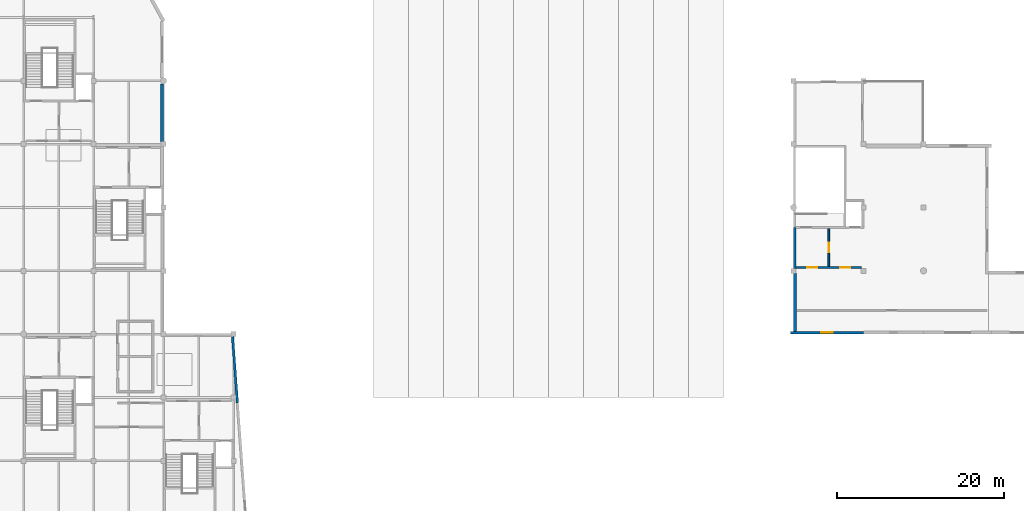
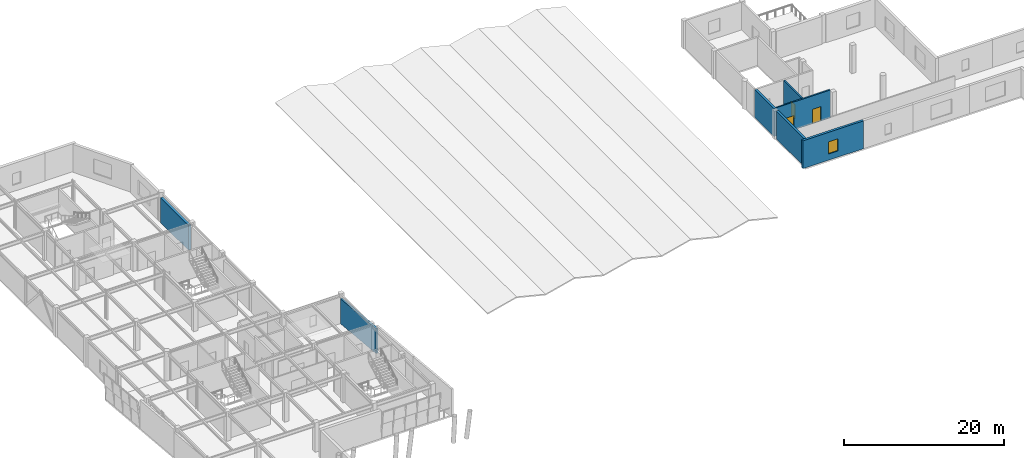
# One storey, part 20 of 28: 7 walls, 3 doors, 1 window, 4 openings.
"""IFC4 building model written with IfcOpenShell, lengths in metres."""

import ifcopenshell
import ifcopenshell.guid

model = None  # the IFC model being written
_history = None  # IfcOwnerHistory: only IFC2X3 demands one
_inside = {}  # id of a spatial element -> (the spatial element, [elements in it])
_under = {}  # id of a project, library or spatial element -> (it, [spatial elements below it])
_declared = {}  # id of a project -> (the project, [libraries it declares])
_typed = {}  # id of a type object -> (the type object, [elements of that type])
_made_of = {}  # id of a material, layer set ... -> (it, [elements and type objects made of it])


def new_model(schema):
    """Start an empty IFC model of exactly this schema.

    Asked for "IFC4X3", IfcOpenShell would pick the latest addendum, in which some entities
    have other attributes; the version numbers below select the first issue.
    IFC2X3 requires an IfcOwnerHistory on every rooted entity: one is made here for all.
    """
    global model, _history
    if schema == "IFC4X3":
        model = ifcopenshell.file(schema_version=(4, 3, 0, 0))
    else:
        model = ifcopenshell.file(schema=schema)
    _inside.clear()
    _under.clear()
    _declared.clear()
    _typed.clear()
    _made_of.clear()
    _history = None
    if model.schema == "IFC2X3":
        org = make("IfcOrganization", Name="unknown")
        user = make(
            "IfcPersonAndOrganization",
            ThePerson=make("IfcPerson", FamilyName="unknown"),
            TheOrganization=org,
        )
        app = make(
            "IfcApplication",
            ApplicationDeveloper=org,
            Version="unknown",
            ApplicationFullName="unknown",
            ApplicationIdentifier="unknown",
        )
        _history = make(
            "IfcOwnerHistory",
            OwningUser=user,
            OwningApplication=app,
            ChangeAction="ADDED",
            CreationDate=0,
        )
    return model


def make(cls, **values):
    """One entity of the class cls with the attributes given. An attribute that is None is left unset."""
    return model.create_entity(
        cls, **{name: value for name, value in values.items() if value is not None}
    )


def rooted(cls, **values):
    """An entity with a GlobalId (a new one), such as an element, a storey or a relation."""
    return make(cls, GlobalId=ifcopenshell.guid.new(), OwnerHistory=_history, **values)


def si_unit(unit_type, name, prefix=None):
    """IfcSIUnit, for example si_unit("LENGTHUNIT", "METRE", prefix="MILLI")."""
    return make("IfcSIUnit", UnitType=unit_type, Prefix=prefix, Name=name)


def assignment(units):
    """IfcUnitAssignment: the units of a project."""
    return None if units is None else make("IfcUnitAssignment", Units=units)


def point(xyz):
    """IfcCartesianPoint."""
    return None if xyz is None else make("IfcCartesianPoint", Coordinates=xyz)


def direction(xyz):
    """IfcDirection."""
    return None if xyz is None else make("IfcDirection", DirectionRatios=xyz)


def frame(location, z_axis=None, x_axis=None):
    """IfcAxis2Placement3D, a coordinate frame: its origin and axes. An axis left out is left unset."""
    return make(
        "IfcAxis2Placement3D",
        Location=point(location),
        Axis=direction(z_axis),
        RefDirection=direction(x_axis),
    )


def frame_2d(location, x_axis=None):
    """IfcAxis2Placement2D, a coordinate frame in the plane: its origin and x axis."""
    return make(
        "IfcAxis2Placement2D", Location=point(location), RefDirection=direction(x_axis)
    )


def origin():
    """The frame at (0, 0, 0) with its axes left unset."""
    return frame((0.0, 0.0, 0.0))


def place(relative_to, where):
    """IfcLocalPlacement: puts the frame where relative to a parent placement (None: the world)."""
    return make(
        "IfcLocalPlacement", PlacementRelTo=relative_to, RelativePlacement=where
    )


def context(
    kind, dimensions, precision=None, world=None, true_north=None, identifier=None
):
    """IfcGeometricRepresentationContext, for example the 3D "Model" context."""
    return make(
        "IfcGeometricRepresentationContext",
        ContextIdentifier=identifier,
        ContextType=kind,
        CoordinateSpaceDimension=dimensions,
        Precision=precision,
        WorldCoordinateSystem=world,
        TrueNorth=true_north,
    )


def subcontext(parent, identifier, kind, view, scale=None):
    """IfcGeometricRepresentationSubContext, for example "Body" below "Model"."""
    return make(
        "IfcGeometricRepresentationSubContext",
        ContextIdentifier=identifier,
        ContextType=kind,
        ParentContext=parent,
        TargetScale=scale,
        TargetView=view,
    )


def project(units=None, contexts=None):
    """IfcProject with its units and contexts."""
    return rooted(
        "IfcProject",
        Name="project",
        RepresentationContexts=contexts,
        UnitsInContext=assignment(units),
    )


def spatial(cls, under=None, at=None, **own):
    """A site, building, storey or space (cls), placed at a placement, below another one or the project."""
    s = rooted(cls, ObjectPlacement=at, **own)
    if under is not None:
        _under.setdefault(under.id(), (under, []))[1].append(s)
    return s


def profile(cls, at=None, kind="AREA", **sizes):
    """A parametric profile (cls). Its sizes go by their IFC names, for example OverallWidth=200.0."""
    return make(cls, ProfileType=kind, Position=at, **sizes)


def rectangle(**sizes):
    """IfcRectangleProfileDef."""
    return profile("IfcRectangleProfileDef", **sizes)


def extrude(swept, where, along, depth):
    """IfcExtrudedAreaSolid: the profile swept, set in the frame where, extruded along a direction by depth."""
    return make(
        "IfcExtrudedAreaSolid",
        SweptArea=swept,
        Position=where,
        ExtrudedDirection=direction(along),
        Depth=depth,
    )


def shape(context_of_items, identifier, shape_type, items):
    """IfcShapeRepresentation: the items that make up one representation, for example the "Body"."""
    return make(
        "IfcShapeRepresentation",
        ContextOfItems=context_of_items,
        RepresentationIdentifier=identifier,
        RepresentationType=shape_type,
        Items=items,
    )


def material(Name=None, Category=None):
    """IfcMaterial."""
    return make("IfcMaterial", Name=Name, Category=Category)


def layer(
    of_material, thickness, ventilated=None, Name=None, Category=None, Priority=None
):
    """IfcMaterialLayer: one layer of a wall or slab, of a material (None: an air gap)."""
    return make(
        "IfcMaterialLayer",
        Material=of_material,
        LayerThickness=thickness,
        IsVentilated=ventilated,
        Name=Name,
        Category=Category,
        Priority=Priority,
    )


def layer_set(layers, Name=None):
    """IfcMaterialLayerSet."""
    return make("IfcMaterialLayerSet", MaterialLayers=layers, LayerSetName=Name)


def made_of(thing, what):
    """Note that an element or type object is made of a material, layer set ...; save() writes the relation."""
    if what is not None:
        _made_of.setdefault(what.id(), (what, []))[1].append(thing)
    return thing


def type_object(cls, material=None, **own):
    """A type object (cls), such as IfcWallType, which elements share."""
    return made_of(rooted(cls, **own), material)


def element(
    cls,
    number,
    at=None,
    inside=None,
    cuts=None,
    type_object=None,
    material=None,
    context=None,
    identifier="Body",
    shape_type=None,
    held_by="IfcProductDefinitionShape",
    body=None,
    shapes=None,
    **own,
):
    """One element of the class cls, such as IfcWall. Its Tag is "e" and its number.

    at: its placement. inside: the storey or other place that contains it. cuts: it is an
    opening in that element (IfcRelVoidsElement). A single representation is given by context,
    identifier, shape_type and body (its items); several are given by shapes. held_by: the class
    of the entity that holds the representations. save() writes the other relations.
    """
    e = rooted(cls, Tag="e%d" % number, ObjectPlacement=at, **own)
    if body is not None:
        shapes = [shape(context, identifier, shape_type, body)]
    if shapes is not None:
        e.Representation = make(held_by, Representations=shapes)
    if inside is not None:
        _inside.setdefault(inside.id(), (inside, []))[1].append(e)
    if cuts is not None:
        rooted(
            "IfcRelVoidsElement", RelatingBuildingElement=cuts, RelatedOpeningElement=e
        )
    if type_object is not None:
        _typed.setdefault(type_object.id(), (type_object, []))[1].append(e)
    return made_of(e, material)


def fill(opening, filler):
    """IfcRelFillsElement: the door or window that sits in an opening."""
    return rooted(
        "IfcRelFillsElement",
        RelatingOpeningElement=opening,
        RelatedBuildingElement=filler,
    )


def aggregate(whole, parts):
    """IfcRelAggregates: a whole, such as a stair, and the parts it consists of."""
    return rooted("IfcRelAggregates", RelatingObject=whole, RelatedObjects=parts)


def save(model, path):
    """Write the relations noted so far, then the file.

    IfcRelAggregates (storeys below a building ...), IfcRelContainedInSpatialStructure (elements
    in a storey), IfcRelDefinesByType, IfcRelAssociatesMaterial and IfcRelDeclares: one each for
    every whole, place, type object, material and project.
    """
    for whole, parts in _under.values():
        aggregate(whole, parts)
    for where, things in _inside.values():
        rooted(
            "IfcRelContainedInSpatialStructure",
            RelatedElements=things,
            RelatingStructure=where,
        )
    for kind, things in _typed.values():
        rooted("IfcRelDefinesByType", RelatedObjects=things, RelatingType=kind)
    for what, things in _made_of.values():
        rooted("IfcRelAssociatesMaterial", RelatedObjects=things, RelatingMaterial=what)
    for by, libraries in _declared.values():
        rooted("IfcRelDeclares", RelatingContext=by, RelatedDefinitions=libraries)
    model.write(path)


model = new_model("IFC4")

# Units and contexts
model_context = context("Model", 3, precision=1e-05, world=origin(), true_north=direction((0.0, 1.0)))
body_context = subcontext(model_context, "Body", "Model", "MODEL_VIEW")
ifc_project = project(units=[si_unit("LENGTHUNIT", "METRE"), si_unit("AREAUNIT", "SQUARE_METRE"), si_unit("VOLUMEUNIT", "CUBIC_METRE"), si_unit("PLANEANGLEUNIT", "RADIAN"), si_unit("MASSUNIT", "GRAM", prefix="KILO")], contexts=[model_context])

# Site, building, storey
site_placement = place(None, origin())
site = spatial("IfcSite", under=ifc_project, at=site_placement, CompositionType="ELEMENT")
building_placement = place(site_placement, origin())
building = spatial("IfcBuilding", under=site, at=building_placement, Name="Xicomal Pleat Aquarium", CompositionType="ELEMENT")
storey_placement = place(building_placement, frame((0.0, 0.0, 15.300048828125)))
storey = spatial("IfcBuildingStorey", under=building, at=storey_placement, Name="L04", CompositionType="ELEMENT", Elevation=15.300048828125)

# Walls
ifc_material_1 = material(Name="Volcanic basalt recinto masonry and concrete C40/50", Category="masonry")
ifc_layer_1 = layer(ifc_material_1, 0.364990234375)
ifc_layer_set_1 = layer_set([ifc_layer_1], Name="Volcanic basalt recinto masonry and concrete C40/50")
wall_type_1 = type_object("IfcWallType", Name="WAL-EXT-BAS-365", PredefinedType="SOLIDWALL", material=ifc_layer_set_1)
wall_1_placement = place(storey_placement, frame((26.81689453125, 68.0400390625, 0.0), z_axis=(0.0, 0.0, 1.0), x_axis=(0.0, -1.0, 0.0)))
element("IfcWall", 1, at=wall_1_placement, inside=storey, type_object=wall_type_1, Name="L04 exterior basalt-precast wall EW-L04-052", PredefinedType="SOLIDWALL", context=body_context, shape_type="SweptSolid", body=[
    extrude(rectangle(XDim=6.955078125, YDim=0.364990234375, at=frame_2d((3.4775390625, 0.0))), origin(), (0.0, 0.0, 1.0), 3.81591796875),
])
ifc_material_2 = material(Name="Precast concrete C40/50", Category="concrete")
ifc_layer_2 = layer(ifc_material_2, 0.300048828125)
ifc_layer_set_2 = layer_set([ifc_layer_2], Name="Precast concrete C40/50")
wall_type_2 = type_object("IfcWallType", Name="WAL-EXT-PRC-300", PredefinedType="SOLIDWALL", material=ifc_layer_set_2)
wall_2_placement = place(storey_placement, frame((35.27294921875, 37.68408203125, 0.0), z_axis=(0.0, 0.0, 1.0), x_axis=(0.072904800795, -0.997338904295, 0.0)))
element("IfcWall", 2, at=wall_2_placement, inside=storey, type_object=wall_type_2, Name="L04 exterior basalt-precast wall EW-L04-057", PredefinedType="SOLIDWALL", context=body_context, shape_type="SweptSolid", body=[
    extrude(rectangle(XDim=7.943359375, YDim=0.300048828125, at=frame_2d((3.9716796875, 0.0))), origin(), (0.0, 0.0, 1.0), 3.81591796875),
])
ifc_material_3 = material(Name="Precast concrete C40/50", Category="concrete")
ifc_layer_3 = layer(ifc_material_3, 0.31201171875)
ifc_layer_set_3 = layer_set([ifc_layer_3], Name="Precast concrete C40/50")
wall_type_3 = type_object("IfcWallType", Name="WAL-EXT-PRC-312", PredefinedType="SOLIDWALL", material=ifc_layer_set_3)
wall_3_placement = place(storey_placement, frame((102.756103515625, 45.885009765625, 0.0), z_axis=(0.0, 0.0, 1.0), x_axis=(0.0, 1.0, 0.0)))
element("IfcWall", 3, at=wall_3_placement, inside=storey, type_object=wall_type_3, Name="L04 exterior basalt-precast wall EW-L04-017", PredefinedType="SOLIDWALL", context=body_context, shape_type="SweptSolid", body=[
    extrude(rectangle(XDim=4.89501953125, YDim=0.31201171875, at=frame_2d((2.447509765625, 0.0))), origin(), (0.0, 0.0, 1.0), 4.260009765625),
])
ifc_material_4 = material(Name="Precast concrete C40/50", Category="concrete")
ifc_layer_4 = layer(ifc_material_4, 0.324951171875)
ifc_layer_set_4 = layer_set([ifc_layer_4], Name="Precast concrete C40/50")
wall_type_4 = type_object("IfcWallType", Name="WAL-EXT-PRC-325", PredefinedType="SOLIDWALL", material=ifc_layer_set_4)
wall_4_placement = place(storey_placement, frame((102.761962890625, 38.344970703125, 0.0), z_axis=(0.0, 0.0, 1.0), x_axis=(0.0, 1.0, 0.0)))
element("IfcWall", 4, at=wall_4_placement, inside=storey, type_object=wall_type_4, Name="L04 exterior basalt-precast wall EW-L04-016B", PredefinedType="SOLIDWALL", context=body_context, shape_type="SweptSolid", body=[
    extrude(rectangle(XDim=6.969970703125, YDim=0.324951171875, at=frame_2d((3.48486328125, 0.0))), origin(), (0.0, 0.0, 1.0), 4.260009765625),
])

# Wall, opening, window
ifc_material_5 = material(Name="Precast concrete C40/50", Category="concrete")
ifc_layer_5 = layer(ifc_material_5, 0.340087890625)
ifc_layer_set_5 = layer_set([ifc_layer_5], Name="Precast concrete C40/50")
wall_type_5 = type_object("IfcWallType", Name="WAL-EXT-PRC-340", PredefinedType="SOLIDWALL", material=ifc_layer_set_5)
wall_5_placement = place(storey_placement, frame((110.97998046875, 38.169921875, 0.0), z_axis=(0.0, 0.0, 1.0), x_axis=(-1.0, 0.0, 0.0)))
wall_5 = element("IfcWall", 5, at=wall_5_placement, inside=storey, type_object=wall_type_5, Name="L04 exterior basalt-precast wall EW-L04-015", PredefinedType="SOLIDWALL", context=body_context, shape_type="SweptSolid", body=[
    extrude(rectangle(XDim=8.739990234375, YDim=0.340087890625, at=frame_2d((4.3701171875, 0.0))), origin(), (0.0, 0.0, 1.0), 4.260009765625),
])
opening_1_placement = place(wall_5_placement, frame((3.695068359375, 0.0, 0.949951171875)))
opening_1 = element("IfcOpeningElement", 6, at=opening_1_placement, cuts=wall_5, Name="Opening WN-09", PredefinedType="OPENING", context=body_context, shape_type="SweptSolid", body=[
    extrude(rectangle(XDim=1.35009765625, YDim=1.85009765625, at=frame_2d((0.675048828125, 0.925048828125))), frame((0.0, 0.179931640625, 0.0), z_axis=(0.0, -1.0, 0.0), x_axis=(1.0, 0.0, 0.0)), (0.0, 0.0, 1.0), 0.360107421875),
])
ifc_material_6 = material(Name="Insulated low-E laminated glass", Category="glass")
window_type = type_object("IfcWindowType", Name="WIN-EXT-1350x1850", PartitioningType="SINGLE_PANEL", PredefinedType="WINDOW", material=ifc_material_6)
window_placement = place(opening_1_placement, origin())
window = element("IfcWindow", 7, at=window_placement, inside=storey, type_object=window_type, Name="L04 thermally broken low-E window 57", OverallHeight=1.85009765625, OverallWidth=1.35009765625, PartitioningType="SINGLE_PANEL", PredefinedType="WINDOW", context=body_context, shape_type="SweptSolid", body=[
    extrude(rectangle(XDim=1.35009765625, YDim=1.85009765625, at=frame_2d((0.675048828125, 0.925048828125))), frame((0.0, 0.030029296875, 0.0), z_axis=(0.0, -1.0, 0.0), x_axis=(1.0, 0.0, 0.0)), (0.0, 0.0, 1.0), 0.06005859375),
])
fill(opening_1, window)

# Wall, opening, door
ifc_material_7 = material(Name="Acoustic double-stud drywall partition", Category="gypsum")
ifc_layer_6 = layer(ifc_material_7, 0.195068359375)
ifc_layer_set_6 = layer_set([ifc_layer_6], Name="Acoustic double-stud drywall partition")
wall_type_6 = type_object("IfcWallType", Name="WAL-PRT-195", PredefinedType="PARTITIONING", material=ifc_layer_set_6)
wall_6_placement = place(storey_placement, frame((106.824951171875, 46.14990234375, 0.0), z_axis=(0.0, 0.0, 1.0), x_axis=(0.0, 1.0, 0.0)))
wall_6 = element("IfcWall", 8, at=wall_6_placement, inside=storey, type_object=wall_type_6, Name="L04 firefighting lobby smoke divider 7", PredefinedType="PARTITIONING", context=body_context, shape_type="SweptSolid", body=[
    extrude(rectangle(XDim=4.5, YDim=0.195068359375, at=frame_2d((2.25, 0.0))), origin(), (0.0, 0.0, 1.0), 4.280029296875),
])
opening_2_placement = place(wall_6_placement, frame((1.699951171875, 0.0, 0.0)))
opening_2 = element("IfcOpeningElement", 9, at=opening_2_placement, cuts=wall_6, Name="Opening FD-07C-L04", PredefinedType="OPENING", context=body_context, shape_type="SweptSolid", body=[
    extrude(rectangle(XDim=1.10009765625, YDim=2.14990234375, at=frame_2d((0.550048828125, 1.074951171875))), frame((0.0, 0.107421875, 0.0), z_axis=(0.0, -1.0, 0.0), x_axis=(1.0, 0.0, 0.0)), (0.0, 0.0, 1.0), 0.215087890625),
])
ifc_material_8 = material(Name="Powder-coated steel fire door", Category="steel")
door_type_1 = type_object("IfcDoorType", Name="DOR-LAB-1100x2150", OperationType="NOTDEFINED", PredefinedType="DOOR", material=ifc_material_8)
door_1_placement = place(opening_2_placement, origin())
door_1 = element("IfcDoor", 10, at=door_1_placement, inside=storey, type_object=door_type_1, Name="L04 lobby interconnecting fire door 7C", OperationType="SINGLE_SWING_LEFT", OverallHeight=2.14990234375, OverallWidth=1.10009765625, PredefinedType="DOOR", context=body_context, shape_type="SweptSolid", body=[
    extrude(rectangle(XDim=1.10009765625, YDim=2.14990234375, at=frame_2d((0.550048828125, 1.074951171875))), frame((0.0, 0.02490234375, 0.0), z_axis=(0.0, -1.0, 0.0), x_axis=(1.0, 0.0, 0.0)), (0.0, 0.0, 1.0), 0.050048828125),
])
fill(opening_2, door_1)

# Wall, openings, doors
ifc_material_9 = material(Name="Fire-rated gypsum and mineral-wool partition", Category="gypsum")
ifc_layer_7 = layer(ifc_material_9, 0.2099609375)
ifc_layer_set_7 = layer_set([ifc_layer_7], Name="Fire-rated gypsum and mineral-wool partition")
wall_type_7 = type_object("IfcWallType", Name="WAL-PRT-210", PredefinedType="PARTITIONING", material=ifc_layer_set_7)
wall_7_placement = place(storey_placement, frame((102.89990234375, 46.0, 0.0), z_axis=(0.0, 0.0, 1.0), x_axis=(1.0, 0.0, 0.0)))
wall_7 = element("IfcWall", 11, at=wall_7_placement, inside=storey, type_object=wall_type_7, Name="L04 CORE-7 lobby fire enclosure wall", PredefinedType="PARTITIONING", context=body_context, shape_type="SweptSolid", body=[
    extrude(rectangle(XDim=7.85009765625, YDim=0.2099609375, at=frame_2d((3.925048828125, 0.0))), origin(), (0.0, 0.0, 1.0), 4.280029296875),
])
opening_3_placement = place(wall_7_placement, frame((1.362060546875, 0.0, 0.0)))
opening_3 = element("IfcOpeningElement", 12, at=opening_3_placement, cuts=wall_7, Name="Opening FD-07A-L04", PredefinedType="OPENING", context=body_context, shape_type="SweptSolid", body=[
    extrude(rectangle(XDim=1.199951171875, YDim=2.199951171875, at=frame_2d((0.60009765625, 1.10009765625))), frame((0.0, 0.114990234375, 0.0), z_axis=(0.0, -1.0, 0.0), x_axis=(1.0, 0.0, 0.0)), (0.0, 0.0, 1.0), 0.22998046875),
])
opening_4_placement = place(wall_7_placement, frame((5.287109375, 0.0, 0.0)))
opening_4 = element("IfcOpeningElement", 13, at=opening_4_placement, cuts=wall_7, Name="Opening FD-07B-L04", PredefinedType="OPENING", context=body_context, shape_type="SweptSolid", body=[
    extrude(rectangle(XDim=1.199951171875, YDim=2.199951171875, at=frame_2d((0.60009765625, 1.10009765625))), frame((0.0, 0.114990234375, 0.0), z_axis=(0.0, -1.0, 0.0), x_axis=(1.0, 0.0, 0.0)), (0.0, 0.0, 1.0), 0.22998046875),
])
ifc_material_10 = material(Name="Powder-coated steel fire door", Category="steel")
door_type_2 = type_object("IfcDoorType", Name="DOR-FFL-1200x2200", OperationType="NOTDEFINED", PredefinedType="DOOR", material=ifc_material_10)
door_2_placement = place(opening_3_placement, origin())
door_2 = element("IfcDoor", 14, at=door_2_placement, inside=storey, type_object=door_type_2, Name="L04 firefighting lobby door 7A", OperationType="SINGLE_SWING_LEFT", OverallHeight=2.199951171875, OverallWidth=1.199951171875, PredefinedType="DOOR", context=body_context, shape_type="SweptSolid", body=[
    extrude(rectangle(XDim=1.199951171875, YDim=2.199951171875, at=frame_2d((0.60009765625, 1.10009765625))), frame((0.0, 0.02490234375, 0.0), z_axis=(0.0, -1.0, 0.0), x_axis=(1.0, 0.0, 0.0)), (0.0, 0.0, 1.0), 0.050048828125),
])
fill(opening_3, door_2)
door_3_placement = place(opening_4_placement, origin())
door_3 = element("IfcDoor", 15, at=door_3_placement, inside=storey, type_object=door_type_2, Name="L04 lift lobby door 7B", OperationType="SINGLE_SWING_RIGHT", OverallHeight=2.199951171875, OverallWidth=1.199951171875, PredefinedType="DOOR", context=body_context, shape_type="SweptSolid", body=[
    extrude(rectangle(XDim=1.199951171875, YDim=2.199951171875, at=frame_2d((0.60009765625, 1.10009765625))), frame((0.0, 0.02490234375, 0.0), z_axis=(0.0, -1.0, 0.0), x_axis=(1.0, 0.0, 0.0)), (0.0, 0.0, 1.0), 0.050048828125),
])
fill(opening_4, door_3)

save(model, "model.ifc")
